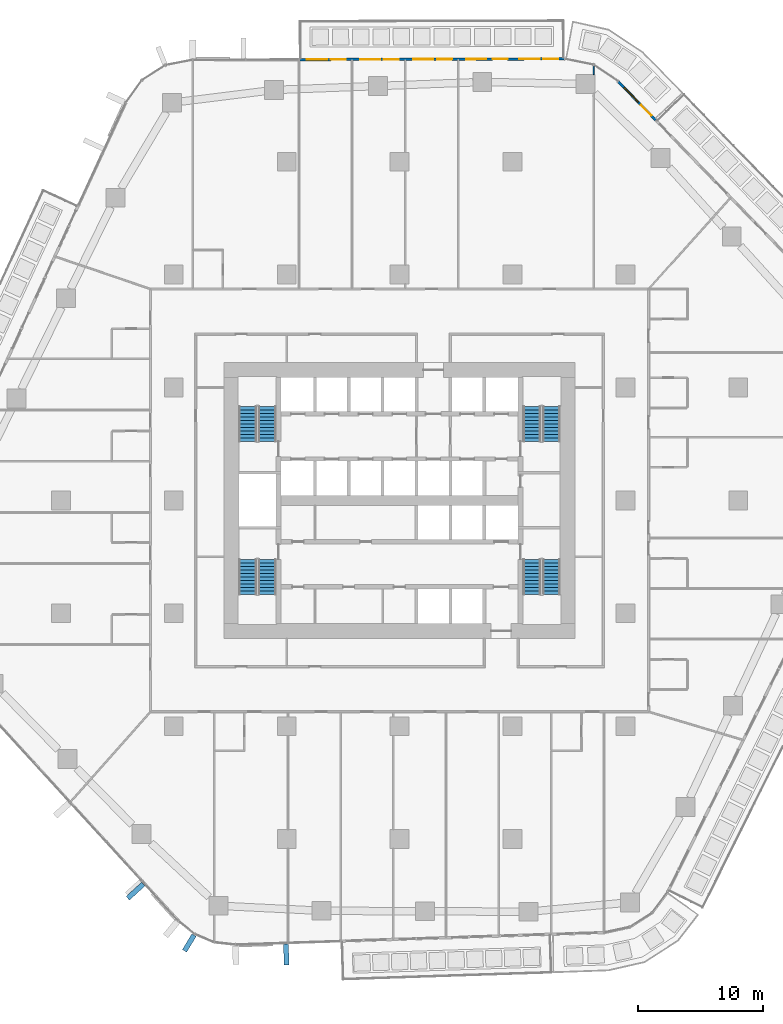
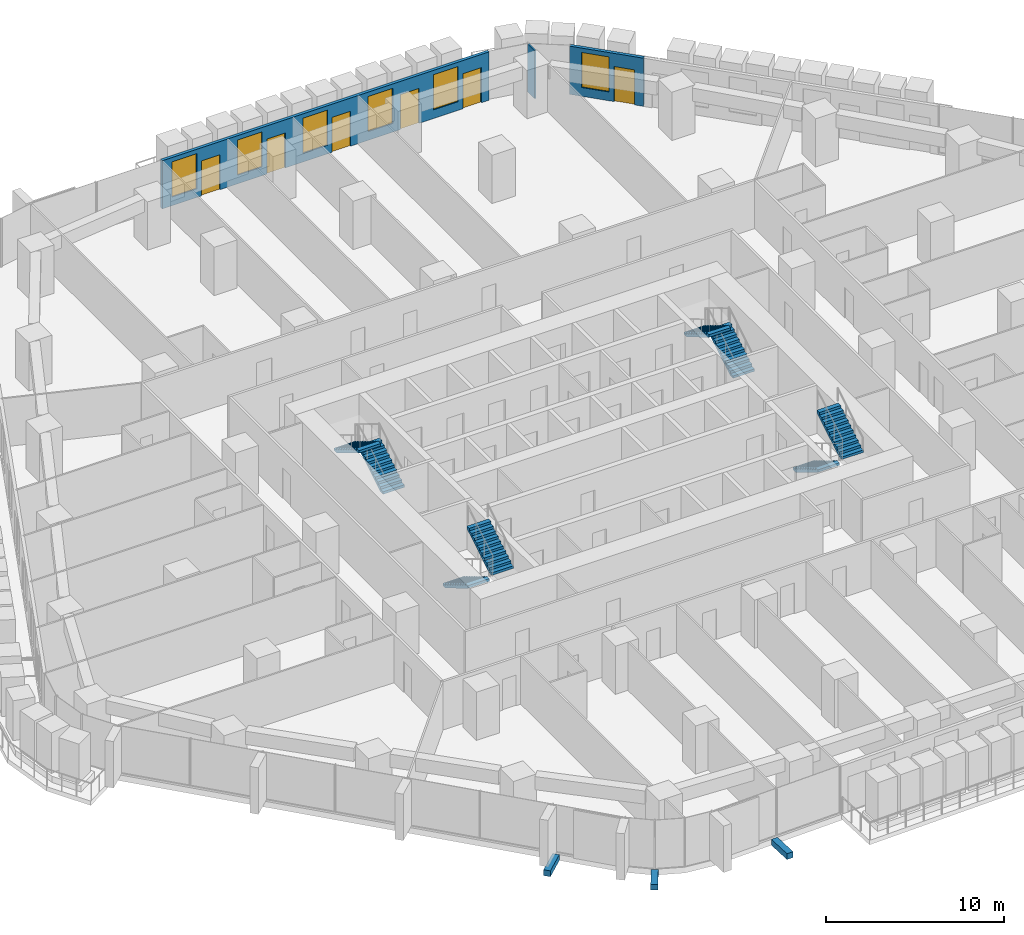
# One storey, part 19 of 27: 8 stair flights, 6 doors, 6 windows, 3 discrete accessories, 3 walls, 12 openings, 4 elements without a shape of their own.
"""IFC4 building model written with IfcOpenShell, lengths in metres."""

from ifc_helpers import new_model, si_unit, direction, frame, frame_2d, origin, origin_2d, place, context, subcontext, project, spatial, polyline, rectangle, outline, extrude, material, layer, layer_set, type_object, element, fill, aggregate, save


model = new_model("IFC4")

# Units and contexts
model_context = context("Model", 3, precision=1e-05, world=origin(), true_north=direction((0.0, 1.0)))
body_context = subcontext(model_context, "Body", "Model", "MODEL_VIEW")
ifc_project = project(units=[si_unit("LENGTHUNIT", "METRE"), si_unit("AREAUNIT", "SQUARE_METRE"), si_unit("VOLUMEUNIT", "CUBIC_METRE"), si_unit("PLANEANGLEUNIT", "RADIAN"), si_unit("MASSUNIT", "GRAM", prefix="KILO")], contexts=[model_context])

# Site, building, storey
site_placement = place(None, origin())
site = spatial("IfcSite", under=ifc_project, at=site_placement, CompositionType="ELEMENT")
building_placement = place(site_placement, origin())
building = spatial("IfcBuilding", under=site, at=building_placement, Name="Dongbaek Canopy Tower", CompositionType="ELEMENT")
storey_placement = place(building_placement, frame((0.0, 0.0, 58.800048828125)))
storey = spatial("IfcBuildingStorey", under=building, at=storey_placement, Name="L10", CompositionType="ELEMENT", Elevation=58.800048828125)

# Wall
ifc_material_1 = material(Name="Gypsum board partition, steel stud, 2 x 12.5 mm board", Category="steel")
ifc_layer_1 = layer(ifc_material_1, 0.10009765625)
ifc_layer_set_1 = layer_set([ifc_layer_1], Name="Partition 100 gypsum board")
wall_type_1 = type_object("IfcWallType", Name="Partition 100 gypsum board", PredefinedType="PARTITIONING", material=ifc_layer_set_1)
wall_1_placement = place(storey_placement, frame((15.47509765625, 33.944091796875, 0.0), z_axis=(0.0, 0.0, 1.0), x_axis=(0.0, 1.0, 0.0)))
element("IfcWall", 1, at=wall_1_placement, inside=storey, type_object=wall_type_1, Name="Partition", PredefinedType="PARTITIONING", context=body_context, shape_type="SweptSolid", body=[
    extrude(rectangle(XDim=0.758544921875, YDim=0.10009765625, at=frame_2d((0.37939453125, 0.0))), origin(), (0.0, 0.0, 1.0), 3.300048828125),
])

# Wall, openings, door, window
ifc_material_2 = material(Name="Aluminium window wall", Category="aluminium")
ifc_layer_2 = layer(ifc_material_2, 0.199951171875)
ifc_layer_set_2 = layer_set([ifc_layer_2], Name="Window wall 200")
wall_type_2 = type_object("IfcWallType", Name="Window wall 200", PredefinedType="SOLIDWALL", material=ifc_layer_set_2)
wall_2_placement = place(storey_placement, frame((20.4130859375, 30.310791015625, 0.0), z_axis=(0.0, 0.0, 1.0), x_axis=(-0.696041877051, 0.718001187598, 0.0)))
wall_2 = element("IfcWall", 2, at=wall_2_placement, inside=storey, type_object=wall_type_2, Name="Window wall L10 6", PredefinedType="SOLIDWALL", context=body_context, shape_type="SweptSolid", body=[
    extrude(rectangle(XDim=4.29150390625, YDim=0.199951171875, at=frame_2d((2.145751953125, 0.0))), origin(), (0.0, 0.0, 1.0), 3.300048828125),
])
opening_1_placement = place(wall_2_placement, frame((2.0, 0.0, 0.60009765625)))
opening_1 = element("IfcOpeningElement", 3, at=opening_1_placement, cuts=wall_2, Name="Opening W1", PredefinedType="OPENING", context=body_context, shape_type="SweptSolid", body=[
    extrude(rectangle(XDim=1.60009765625, YDim=2.39990234375, at=frame_2d((0.800048828125, 1.199951171875))), frame((0.0, 0.10986328125, 0.0), z_axis=(0.0, -1.0, 0.0), x_axis=(1.0, 0.0, 0.0)), (0.0, 0.0, 1.0), 0.219970703125),
])
opening_2_placement = place(wall_2_placement, frame((0.5, 0.0, 0.0)))
opening_2 = element("IfcOpeningElement", 4, at=opening_2_placement, cuts=wall_2, Name="Opening L10-B05", PredefinedType="OPENING", context=body_context, shape_type="SweptSolid", body=[
    extrude(rectangle(XDim=1.199951171875, YDim=2.39990234375, at=frame_2d((0.60009765625, 1.199951171875))), frame((0.0, 0.10986328125, 0.0), z_axis=(0.0, -1.0, 0.0), x_axis=(1.0, 0.0, 0.0)), (0.0, 0.0, 1.0), 0.219970703125),
])
ifc_material_3 = material(Name="Clear glazing in aluminium frame", Category="aluminium")
door_type = type_object("IfcDoorType", Name="Balcony door BD1 1200 x 2400", OperationType="SLIDING_TO_LEFT", PredefinedType="DOOR", material=ifc_material_3)
door_1_placement = place(opening_2_placement, origin())
door_1 = element("IfcDoor", 5, at=door_1_placement, inside=storey, type_object=door_type, Name="Balcony door L10-B05", OperationType="SLIDING_TO_LEFT", OverallHeight=2.39990234375, OverallWidth=1.199951171875, PredefinedType="DOOR", context=body_context, shape_type="SweptSolid", body=[
    extrude(rectangle(XDim=1.199951171875, YDim=2.39990234375, at=frame_2d((0.60009765625, 1.199951171875))), frame((0.0, 0.02490234375, 0.0), z_axis=(0.0, -1.0, 0.0), x_axis=(1.0, 0.0, 0.0)), (0.0, 0.0, 1.0), 0.050048828125),
])
fill(opening_2, door_1)
ifc_material_4 = material(Name="Clear glazing in aluminium frame", Category="aluminium")
window_type = type_object("IfcWindowType", Name="Window W1 1600 x 2400", PartitioningType="SINGLE_PANEL", PredefinedType="WINDOW", material=ifc_material_4)
window_1_placement = place(opening_1_placement, origin())
window_1 = element("IfcWindow", 6, at=window_1_placement, inside=storey, type_object=window_type, Name="Window L10 6.1", OverallHeight=2.39990234375, OverallWidth=1.60009765625, PartitioningType="SINGLE_PANEL", PredefinedType="WINDOW", context=body_context, shape_type="SweptSolid", body=[
    extrude(rectangle(XDim=1.60009765625, YDim=2.39990234375, at=frame_2d((0.800048828125, 1.199951171875))), frame((0.0, 0.030029296875, 0.0), z_axis=(0.0, -1.0, 0.0), x_axis=(1.0, 0.0, 0.0)), (0.0, 0.0, 1.0), 0.06005859375),
])
fill(opening_1, window_1)

# Wall, openings, doors, windows
wall_3_placement = place(storey_placement, frame((13.156982421875, 35.192626953125, 0.0), z_axis=(0.0, 0.0, 1.0), x_axis=(-0.99999645413, -0.00266302965, 0.0)))
wall_3 = element("IfcWall", 7, at=wall_3_placement, inside=storey, type_object=wall_type_2, Name="Window wall L10 2", PredefinedType="SOLIDWALL", context=body_context, shape_type="SweptSolid", body=[
    extrude(rectangle(XDim=21.177490234375, YDim=0.199951171875, at=frame_2d((10.5888671875, 0.0))), origin(), (0.0, 0.0, 1.0), 3.300048828125),
])
opening_3_placement = place(wall_3_placement, frame((2.0, 0.0, 0.60009765625)))
opening_3 = element("IfcOpeningElement", 8, at=opening_3_placement, cuts=wall_3, Name="Opening W1", PredefinedType="OPENING", context=body_context, shape_type="SweptSolid", body=[
    extrude(rectangle(XDim=1.60009765625, YDim=2.39990234375, at=frame_2d((0.800048828125, 1.199951171875))), frame((0.0, 0.10986328125, 0.0), z_axis=(0.0, -1.0, 0.0), x_axis=(1.0, 0.0, 0.0)), (0.0, 0.0, 1.0), 0.219970703125),
])
opening_4_placement = place(wall_3_placement, frame((0.5, 0.0, 0.0)))
opening_4 = element("IfcOpeningElement", 9, at=opening_4_placement, cuts=wall_3, Name="Opening L10-B06", PredefinedType="OPENING", context=body_context, shape_type="SweptSolid", body=[
    extrude(rectangle(XDim=1.199951171875, YDim=2.39990234375, at=frame_2d((0.60009765625, 1.199951171875))), frame((0.0, 0.10986328125, 0.0), z_axis=(0.0, -1.0, 0.0), x_axis=(1.0, 0.0, 0.0)), (0.0, 0.0, 1.0), 0.219970703125),
])
opening_5_placement = place(wall_3_placement, frame((6.235595703125, 0.0, 0.60009765625)))
opening_5 = element("IfcOpeningElement", 10, at=opening_5_placement, cuts=wall_3, Name="Opening W1", PredefinedType="OPENING", context=body_context, shape_type="SweptSolid", body=[
    extrude(rectangle(XDim=1.60009765625, YDim=2.39990234375, at=frame_2d((0.800048828125, 1.199951171875))), frame((0.0, 0.10986328125, 0.0), z_axis=(0.0, -1.0, 0.0), x_axis=(1.0, 0.0, 0.0)), (0.0, 0.0, 1.0), 0.219970703125),
])
opening_6_placement = place(wall_3_placement, frame((4.535400390625, 0.0, 0.0)))
opening_6 = element("IfcOpeningElement", 11, at=opening_6_placement, cuts=wall_3, Name="Opening L10-B07", PredefinedType="OPENING", context=body_context, shape_type="SweptSolid", body=[
    extrude(rectangle(XDim=1.199951171875, YDim=2.39990234375, at=frame_2d((0.60009765625, 1.199951171875))), frame((0.0, 0.10986328125, 0.0), z_axis=(0.0, -1.0, 0.0), x_axis=(1.0, 0.0, 0.0)), (0.0, 0.0, 1.0), 0.219970703125),
])
opening_7_placement = place(wall_3_placement, frame((10.470947265625, 0.0, 0.60009765625)))
opening_7 = element("IfcOpeningElement", 12, at=opening_7_placement, cuts=wall_3, Name="Opening W1", PredefinedType="OPENING", context=body_context, shape_type="SweptSolid", body=[
    extrude(rectangle(XDim=1.60009765625, YDim=2.39990234375, at=frame_2d((0.800048828125, 1.199951171875))), frame((0.0, 0.10986328125, 0.0), z_axis=(0.0, -1.0, 0.0), x_axis=(1.0, 0.0, 0.0)), (0.0, 0.0, 1.0), 0.219970703125),
])
opening_8_placement = place(wall_3_placement, frame((8.970947265625, 0.0, 0.0)))
opening_8 = element("IfcOpeningElement", 13, at=opening_8_placement, cuts=wall_3, Name="Opening L10-B08", PredefinedType="OPENING", context=body_context, shape_type="SweptSolid", body=[
    extrude(rectangle(XDim=1.199951171875, YDim=2.39990234375, at=frame_2d((0.60009765625, 1.199951171875))), frame((0.0, 0.10986328125, 0.0), z_axis=(0.0, -1.0, 0.0), x_axis=(1.0, 0.0, 0.0)), (0.0, 0.0, 1.0), 0.219970703125),
])
opening_9_placement = place(wall_3_placement, frame((14.70654296875, 0.0, 0.60009765625)))
opening_9 = element("IfcOpeningElement", 14, at=opening_9_placement, cuts=wall_3, Name="Opening W1", PredefinedType="OPENING", context=body_context, shape_type="SweptSolid", body=[
    extrude(rectangle(XDim=1.60009765625, YDim=2.39990234375, at=frame_2d((0.800048828125, 1.199951171875))), frame((0.0, 0.10986328125, 0.0), z_axis=(0.0, -1.0, 0.0), x_axis=(1.0, 0.0, 0.0)), (0.0, 0.0, 1.0), 0.219970703125),
])
opening_10_placement = place(wall_3_placement, frame((13.20654296875, 0.0, 0.0)))
opening_10 = element("IfcOpeningElement", 15, at=opening_10_placement, cuts=wall_3, Name="Opening L10-B09", PredefinedType="OPENING", context=body_context, shape_type="SweptSolid", body=[
    extrude(rectangle(XDim=1.199951171875, YDim=2.39990234375, at=frame_2d((0.60009765625, 1.199951171875))), frame((0.0, 0.10986328125, 0.0), z_axis=(0.0, -1.0, 0.0), x_axis=(1.0, 0.0, 0.0)), (0.0, 0.0, 1.0), 0.219970703125),
])
opening_11_placement = place(wall_3_placement, frame((18.942138671875, 0.0, 0.60009765625)))
opening_11 = element("IfcOpeningElement", 16, at=opening_11_placement, cuts=wall_3, Name="Opening W1", PredefinedType="OPENING", context=body_context, shape_type="SweptSolid", body=[
    extrude(rectangle(XDim=1.60009765625, YDim=2.39990234375, at=frame_2d((0.800048828125, 1.199951171875))), frame((0.0, 0.10986328125, 0.0), z_axis=(0.0, -1.0, 0.0), x_axis=(1.0, 0.0, 0.0)), (0.0, 0.0, 1.0), 0.219970703125),
])
opening_12_placement = place(wall_3_placement, frame((17.442138671875, 0.0, 0.0)))
opening_12 = element("IfcOpeningElement", 17, at=opening_12_placement, cuts=wall_3, Name="Opening L10-B10", PredefinedType="OPENING", context=body_context, shape_type="SweptSolid", body=[
    extrude(rectangle(XDim=1.199951171875, YDim=2.39990234375, at=frame_2d((0.60009765625, 1.199951171875))), frame((0.0, 0.10986328125, 0.0), z_axis=(0.0, -1.0, 0.0), x_axis=(1.0, 0.0, 0.0)), (0.0, 0.0, 1.0), 0.219970703125),
])
door_2_placement = place(opening_4_placement, origin())
door_2 = element("IfcDoor", 18, at=door_2_placement, inside=storey, type_object=door_type, Name="Balcony door L10-B06", OperationType="SLIDING_TO_LEFT", OverallHeight=2.39990234375, OverallWidth=1.199951171875, PredefinedType="DOOR", context=body_context, shape_type="SweptSolid", body=[
    extrude(rectangle(XDim=1.199951171875, YDim=2.39990234375, at=frame_2d((0.60009765625, 1.199951171875))), frame((0.0, 0.02490234375, 0.0), z_axis=(0.0, -1.0, 0.0), x_axis=(1.0, 0.0, 0.0)), (0.0, 0.0, 1.0), 0.050048828125),
])
fill(opening_4, door_2)
door_3_placement = place(opening_6_placement, origin())
door_3 = element("IfcDoor", 19, at=door_3_placement, inside=storey, type_object=door_type, Name="Balcony door L10-B07", OperationType="SLIDING_TO_LEFT", OverallHeight=2.39990234375, OverallWidth=1.199951171875, PredefinedType="DOOR", context=body_context, shape_type="SweptSolid", body=[
    extrude(rectangle(XDim=1.199951171875, YDim=2.39990234375, at=frame_2d((0.60009765625, 1.199951171875))), frame((0.0, 0.02490234375, 0.0), z_axis=(0.0, -1.0, 0.0), x_axis=(1.0, 0.0, 0.0)), (0.0, 0.0, 1.0), 0.050048828125),
])
fill(opening_6, door_3)
door_4_placement = place(opening_8_placement, origin())
door_4 = element("IfcDoor", 20, at=door_4_placement, inside=storey, type_object=door_type, Name="Balcony door L10-B08", OperationType="SLIDING_TO_LEFT", OverallHeight=2.39990234375, OverallWidth=1.199951171875, PredefinedType="DOOR", context=body_context, shape_type="SweptSolid", body=[
    extrude(rectangle(XDim=1.199951171875, YDim=2.39990234375, at=frame_2d((0.60009765625, 1.199951171875))), frame((0.0, 0.02490234375, 0.0), z_axis=(0.0, -1.0, 0.0), x_axis=(1.0, 0.0, 0.0)), (0.0, 0.0, 1.0), 0.050048828125),
])
fill(opening_8, door_4)
door_5_placement = place(opening_10_placement, origin())
door_5 = element("IfcDoor", 21, at=door_5_placement, inside=storey, type_object=door_type, Name="Balcony door L10-B09", OperationType="SLIDING_TO_LEFT", OverallHeight=2.39990234375, OverallWidth=1.199951171875, PredefinedType="DOOR", context=body_context, shape_type="SweptSolid", body=[
    extrude(rectangle(XDim=1.199951171875, YDim=2.39990234375, at=frame_2d((0.60009765625, 1.199951171875))), frame((0.0, 0.02490234375, 0.0), z_axis=(0.0, -1.0, 0.0), x_axis=(1.0, 0.0, 0.0)), (0.0, 0.0, 1.0), 0.050048828125),
])
fill(opening_10, door_5)
door_6_placement = place(opening_12_placement, origin())
door_6 = element("IfcDoor", 22, at=door_6_placement, inside=storey, type_object=door_type, Name="Balcony door L10-B10", OperationType="SLIDING_TO_LEFT", OverallHeight=2.39990234375, OverallWidth=1.199951171875, PredefinedType="DOOR", context=body_context, shape_type="SweptSolid", body=[
    extrude(rectangle(XDim=1.199951171875, YDim=2.39990234375, at=frame_2d((0.60009765625, 1.199951171875))), frame((0.0, 0.02490234375, 0.0), z_axis=(0.0, -1.0, 0.0), x_axis=(1.0, 0.0, 0.0)), (0.0, 0.0, 1.0), 0.050048828125),
])
fill(opening_12, door_6)
window_2_placement = place(opening_3_placement, origin())
window_2 = element("IfcWindow", 23, at=window_2_placement, inside=storey, type_object=window_type, Name="Window L10 2.1", OverallHeight=2.39990234375, OverallWidth=1.60009765625, PartitioningType="SINGLE_PANEL", PredefinedType="WINDOW", context=body_context, shape_type="SweptSolid", body=[
    extrude(rectangle(XDim=1.60009765625, YDim=2.39990234375, at=frame_2d((0.800048828125, 1.199951171875))), frame((0.0, 0.030029296875, 0.0), z_axis=(0.0, -1.0, 0.0), x_axis=(1.0, 0.0, 0.0)), (0.0, 0.0, 1.0), 0.06005859375),
])
fill(opening_3, window_2)
window_3_placement = place(opening_5_placement, origin())
window_3 = element("IfcWindow", 24, at=window_3_placement, inside=storey, type_object=window_type, Name="Window L10 2.2", OverallHeight=2.39990234375, OverallWidth=1.60009765625, PartitioningType="SINGLE_PANEL", PredefinedType="WINDOW", context=body_context, shape_type="SweptSolid", body=[
    extrude(rectangle(XDim=1.60009765625, YDim=2.39990234375, at=frame_2d((0.800048828125, 1.199951171875))), frame((0.0, 0.030029296875, 0.0), z_axis=(0.0, -1.0, 0.0), x_axis=(1.0, 0.0, 0.0)), (0.0, 0.0, 1.0), 0.06005859375),
])
fill(opening_5, window_3)
window_4_placement = place(opening_7_placement, origin())
window_4 = element("IfcWindow", 25, at=window_4_placement, inside=storey, type_object=window_type, Name="Window L10 2.3", OverallHeight=2.39990234375, OverallWidth=1.60009765625, PartitioningType="SINGLE_PANEL", PredefinedType="WINDOW", context=body_context, shape_type="SweptSolid", body=[
    extrude(rectangle(XDim=1.60009765625, YDim=2.39990234375, at=frame_2d((0.800048828125, 1.199951171875))), frame((0.0, 0.030029296875, 0.0), z_axis=(0.0, -1.0, 0.0), x_axis=(1.0, 0.0, 0.0)), (0.0, 0.0, 1.0), 0.06005859375),
])
fill(opening_7, window_4)
window_5_placement = place(opening_9_placement, origin())
window_5 = element("IfcWindow", 26, at=window_5_placement, inside=storey, type_object=window_type, Name="Window L10 2.4", OverallHeight=2.39990234375, OverallWidth=1.60009765625, PartitioningType="SINGLE_PANEL", PredefinedType="WINDOW", context=body_context, shape_type="SweptSolid", body=[
    extrude(rectangle(XDim=1.60009765625, YDim=2.39990234375, at=frame_2d((0.800048828125, 1.199951171875))), frame((0.0, 0.030029296875, 0.0), z_axis=(0.0, -1.0, 0.0), x_axis=(1.0, 0.0, 0.0)), (0.0, 0.0, 1.0), 0.06005859375),
])
fill(opening_9, window_5)
window_6_placement = place(opening_11_placement, origin())
window_6 = element("IfcWindow", 27, at=window_6_placement, inside=storey, type_object=window_type, Name="Window L10 2.5", OverallHeight=2.39990234375, OverallWidth=1.60009765625, PartitioningType="SINGLE_PANEL", PredefinedType="WINDOW", context=body_context, shape_type="SweptSolid", body=[
    extrude(rectangle(XDim=1.60009765625, YDim=2.39990234375, at=frame_2d((0.800048828125, 1.199951171875))), frame((0.0, 0.030029296875, 0.0), z_axis=(0.0, -1.0, 0.0), x_axis=(1.0, 0.0, 0.0)), (0.0, 0.0, 1.0), 0.06005859375),
])
fill(opening_11, window_6)

# Stair, stair flights
ifc_material_5 = material(Name="Concrete C40/50", Category="concrete")
stair_type = type_object("IfcStairType", Name="Core exit stair", PredefinedType="HALF_TURN_STAIR", material=ifc_material_5)
stair_1_placement = place(storey_placement, origin())
stair_1 = element("IfcStair", 28, at=stair_1_placement, inside=storey, type_object=stair_type, Name="L10 exit stair A", PredefinedType="HALF_TURN_STAIR")
ifc_material_6 = material(Name="Concrete C40/50", Category="concrete")
ifc_layer_3 = layer(ifc_material_6, 0.14990234375)
ifc_layer_set_3 = layer_set([ifc_layer_3], Name="Core stair flight 150 waist")
stair_flight_type = type_object("IfcStairFlightType", Name="Core stair flight 150 waist", PredefinedType="STRAIGHT", material=ifc_layer_set_3)
stair_flight_1_placement = place(storey_placement, frame((12.10009765625, 4.699951171875, 0.0), z_axis=(0.0, 0.0, 1.0), x_axis=(0.0, 1.0, 0.0)))
stair_flight_1 = element("IfcStairFlight", 29, at=stair_flight_1_placement, type_object=stair_flight_type, Name="ST-A flight 1", NumberOfRisers=11, NumberOfTreads=10, PredefinedType="STRAIGHT", RiserHeight=0.168181818, TreadLength=0.28, context=body_context, shape_type="SweptSolid", body=[
    extrude(outline(polyline([(0.0, 0.0), (0.0, 0.168212890625), (0.280029296875, 0.168212890625), (0.280029296875, 0.33642578125), (0.56005859375, 0.33642578125), (0.56005859375, 0.504638671875), (0.840087890625, 0.504638671875), (0.840087890625, 0.672607421875), (1.1201171875, 0.672607421875), (1.1201171875, 0.8408203125), (1.39990234375, 0.8408203125), (1.39990234375, 1.009033203125), (1.679931640625, 1.009033203125), (1.679931640625, 1.17724609375), (1.9599609375, 1.17724609375), (1.9599609375, 1.345458984375), (2.239990234375, 1.345458984375), (2.239990234375, 1.513671875), (2.52001953125, 1.513671875), (2.52001953125, 1.681884765625), (2.800048828125, 1.681884765625), (2.800048828125, 1.85009765625), (2.800048828125, 1.5068359375), (0.291015625, 0.0), (0.0, 0.0)])), frame((0.0, 0.699951171875, 0.0), z_axis=(0.0, -1.0, 0.0), x_axis=(1.0, 0.0, 0.0)), (0.0, 0.0, 1.0), 1.39990234375),
])
stair_flight_2_placement = place(storey_placement, frame((10.550048828125, 7.5, 1.849853515625), z_axis=(0.0, 0.0, 1.0), x_axis=(0.0, -1.0, 0.0)))
stair_flight_2 = element("IfcStairFlight", 30, at=stair_flight_2_placement, type_object=stair_flight_type, Name="ST-A flight 2", NumberOfRisers=11, NumberOfTreads=10, PredefinedType="STRAIGHT", RiserHeight=0.168181818, TreadLength=0.28, context=body_context, shape_type="SweptSolid", body=[
    extrude(outline(polyline([(0.0, 0.0), (0.0, 0.168212890625), (0.280029296875, 0.168212890625), (0.280029296875, 0.33642578125), (0.56005859375, 0.33642578125), (0.56005859375, 0.504638671875), (0.840087890625, 0.504638671875), (0.840087890625, 0.672607421875), (1.1201171875, 0.672607421875), (1.1201171875, 0.8408203125), (1.39990234375, 0.8408203125), (1.39990234375, 1.009033203125), (1.679931640625, 1.009033203125), (1.679931640625, 1.17724609375), (1.9599609375, 1.17724609375), (1.9599609375, 1.345458984375), (2.239990234375, 1.345458984375), (2.239990234375, 1.513671875), (2.52001953125, 1.513671875), (2.52001953125, 1.681884765625), (2.800048828125, 1.681884765625), (2.800048828125, 1.85009765625), (2.800048828125, 1.5068359375), (0.291015625, 0.0), (0.0, 0.0)])), frame((0.0, 0.699951171875, 0.0), z_axis=(0.0, -1.0, 0.0), x_axis=(1.0, 0.0, 0.0)), (0.0, 0.0, 1.0), 1.39990234375),
])
aggregate(stair_1, [stair_flight_1, stair_flight_2])

stair_2_placement = place(storey_placement, origin())
stair_2 = element("IfcStair", 31, at=stair_2_placement, inside=storey, type_object=stair_type, Name="L10 exit stair C", PredefinedType="HALF_TURN_STAIR")
stair_flight_3_placement = place(storey_placement, frame((-10.550048828125, 4.699951171875, 0.0), z_axis=(0.0, 0.0, 1.0), x_axis=(0.0, 1.0, 0.0)))
stair_flight_3 = element("IfcStairFlight", 32, at=stair_flight_3_placement, type_object=stair_flight_type, Name="ST-C flight 1", NumberOfRisers=11, NumberOfTreads=10, PredefinedType="STRAIGHT", RiserHeight=0.168181818, TreadLength=0.28, context=body_context, shape_type="SweptSolid", body=[
    extrude(outline(polyline([(0.0, 0.0), (0.0, 0.168212890625), (0.280029296875, 0.168212890625), (0.280029296875, 0.33642578125), (0.56005859375, 0.33642578125), (0.56005859375, 0.504638671875), (0.840087890625, 0.504638671875), (0.840087890625, 0.672607421875), (1.1201171875, 0.672607421875), (1.1201171875, 0.8408203125), (1.39990234375, 0.8408203125), (1.39990234375, 1.009033203125), (1.679931640625, 1.009033203125), (1.679931640625, 1.17724609375), (1.9599609375, 1.17724609375), (1.9599609375, 1.345458984375), (2.239990234375, 1.345458984375), (2.239990234375, 1.513671875), (2.52001953125, 1.513671875), (2.52001953125, 1.681884765625), (2.800048828125, 1.681884765625), (2.800048828125, 1.85009765625), (2.800048828125, 1.5068359375), (0.291015625, 0.0), (0.0, 0.0)])), frame((0.0, 0.699951171875, 0.0), z_axis=(0.0, -1.0, 0.0), x_axis=(1.0, 0.0, 0.0)), (0.0, 0.0, 1.0), 1.39990234375),
])
stair_flight_4_placement = place(storey_placement, frame((-12.10009765625, 7.5, 1.849853515625), z_axis=(0.0, 0.0, 1.0), x_axis=(0.0, -1.0, 0.0)))
stair_flight_4 = element("IfcStairFlight", 33, at=stair_flight_4_placement, type_object=stair_flight_type, Name="ST-C flight 2", NumberOfRisers=11, NumberOfTreads=10, PredefinedType="STRAIGHT", RiserHeight=0.168181818, TreadLength=0.28, context=body_context, shape_type="SweptSolid", body=[
    extrude(outline(polyline([(0.0, 0.0), (0.0, 0.168212890625), (0.280029296875, 0.168212890625), (0.280029296875, 0.33642578125), (0.56005859375, 0.33642578125), (0.56005859375, 0.504638671875), (0.840087890625, 0.504638671875), (0.840087890625, 0.672607421875), (1.1201171875, 0.672607421875), (1.1201171875, 0.8408203125), (1.39990234375, 0.8408203125), (1.39990234375, 1.009033203125), (1.679931640625, 1.009033203125), (1.679931640625, 1.17724609375), (1.9599609375, 1.17724609375), (1.9599609375, 1.345458984375), (2.239990234375, 1.345458984375), (2.239990234375, 1.513671875), (2.52001953125, 1.513671875), (2.52001953125, 1.681884765625), (2.800048828125, 1.681884765625), (2.800048828125, 1.85009765625), (2.800048828125, 1.5068359375), (0.291015625, 0.0), (0.0, 0.0)])), frame((0.0, 0.699951171875, 0.0), z_axis=(0.0, -1.0, 0.0), x_axis=(1.0, 0.0, 0.0)), (0.0, 0.0, 1.0), 1.39990234375),
])
aggregate(stair_2, [stair_flight_3, stair_flight_4])

stair_3_placement = place(storey_placement, origin())
stair_3 = element("IfcStair", 34, at=stair_3_placement, inside=storey, type_object=stair_type, Name="L10 exit stair B", PredefinedType="HALF_TURN_STAIR")
stair_flight_5_placement = place(storey_placement, frame((10.550048828125, -4.699951171875, 0.0), z_axis=(0.0, 0.0, 1.0), x_axis=(0.0, -1.0, 0.0)))
stair_flight_5 = element("IfcStairFlight", 35, at=stair_flight_5_placement, type_object=stair_flight_type, Name="ST-B flight 1", NumberOfRisers=11, NumberOfTreads=10, PredefinedType="STRAIGHT", RiserHeight=0.168181818, TreadLength=0.28, context=body_context, shape_type="SweptSolid", body=[
    extrude(outline(polyline([(0.0, 0.0), (0.0, 0.168212890625), (0.280029296875, 0.168212890625), (0.280029296875, 0.33642578125), (0.56005859375, 0.33642578125), (0.56005859375, 0.504638671875), (0.840087890625, 0.504638671875), (0.840087890625, 0.672607421875), (1.1201171875, 0.672607421875), (1.1201171875, 0.8408203125), (1.39990234375, 0.8408203125), (1.39990234375, 1.009033203125), (1.679931640625, 1.009033203125), (1.679931640625, 1.17724609375), (1.9599609375, 1.17724609375), (1.9599609375, 1.345458984375), (2.239990234375, 1.345458984375), (2.239990234375, 1.513671875), (2.52001953125, 1.513671875), (2.52001953125, 1.681884765625), (2.800048828125, 1.681884765625), (2.800048828125, 1.85009765625), (2.800048828125, 1.5068359375), (0.291015625, 0.0), (0.0, 0.0)])), frame((0.0, 0.699951171875, 0.0), z_axis=(0.0, -1.0, 0.0), x_axis=(1.0, 0.0, 0.0)), (0.0, 0.0, 1.0), 1.39990234375),
])
stair_flight_6_placement = place(storey_placement, frame((12.10009765625, -7.5, 1.849853515625), z_axis=(0.0, 0.0, 1.0), x_axis=(0.0, 1.0, 0.0)))
stair_flight_6 = element("IfcStairFlight", 36, at=stair_flight_6_placement, type_object=stair_flight_type, Name="ST-B flight 2", NumberOfRisers=11, NumberOfTreads=10, PredefinedType="STRAIGHT", RiserHeight=0.168181818, TreadLength=0.28, context=body_context, shape_type="SweptSolid", body=[
    extrude(outline(polyline([(0.0, 0.0), (0.0, 0.168212890625), (0.280029296875, 0.168212890625), (0.280029296875, 0.33642578125), (0.56005859375, 0.33642578125), (0.56005859375, 0.504638671875), (0.840087890625, 0.504638671875), (0.840087890625, 0.672607421875), (1.1201171875, 0.672607421875), (1.1201171875, 0.8408203125), (1.39990234375, 0.8408203125), (1.39990234375, 1.009033203125), (1.679931640625, 1.009033203125), (1.679931640625, 1.17724609375), (1.9599609375, 1.17724609375), (1.9599609375, 1.345458984375), (2.239990234375, 1.345458984375), (2.239990234375, 1.513671875), (2.52001953125, 1.513671875), (2.52001953125, 1.681884765625), (2.800048828125, 1.681884765625), (2.800048828125, 1.85009765625), (2.800048828125, 1.5068359375), (0.291015625, 0.0), (0.0, 0.0)])), frame((0.0, 0.699951171875, 0.0), z_axis=(0.0, -1.0, 0.0), x_axis=(1.0, 0.0, 0.0)), (0.0, 0.0, 1.0), 1.39990234375),
])
aggregate(stair_3, [stair_flight_5, stair_flight_6])

stair_4_placement = place(storey_placement, origin())
stair_4 = element("IfcStair", 37, at=stair_4_placement, inside=storey, type_object=stair_type, Name="L10 exit stair D", PredefinedType="HALF_TURN_STAIR")
stair_flight_7_placement = place(storey_placement, frame((-12.10009765625, -4.699951171875, 0.0), z_axis=(0.0, 0.0, 1.0), x_axis=(0.0, -1.0, 0.0)))
stair_flight_7 = element("IfcStairFlight", 38, at=stair_flight_7_placement, type_object=stair_flight_type, Name="ST-D flight 1", NumberOfRisers=11, NumberOfTreads=10, PredefinedType="STRAIGHT", RiserHeight=0.168181818, TreadLength=0.28, context=body_context, shape_type="SweptSolid", body=[
    extrude(outline(polyline([(0.0, 0.0), (0.0, 0.168212890625), (0.280029296875, 0.168212890625), (0.280029296875, 0.33642578125), (0.56005859375, 0.33642578125), (0.56005859375, 0.504638671875), (0.840087890625, 0.504638671875), (0.840087890625, 0.672607421875), (1.1201171875, 0.672607421875), (1.1201171875, 0.8408203125), (1.39990234375, 0.8408203125), (1.39990234375, 1.009033203125), (1.679931640625, 1.009033203125), (1.679931640625, 1.17724609375), (1.9599609375, 1.17724609375), (1.9599609375, 1.345458984375), (2.239990234375, 1.345458984375), (2.239990234375, 1.513671875), (2.52001953125, 1.513671875), (2.52001953125, 1.681884765625), (2.800048828125, 1.681884765625), (2.800048828125, 1.85009765625), (2.800048828125, 1.5068359375), (0.291015625, 0.0), (0.0, 0.0)])), frame((0.0, 0.699951171875, 0.0), z_axis=(0.0, -1.0, 0.0), x_axis=(1.0, 0.0, 0.0)), (0.0, 0.0, 1.0), 1.39990234375),
])
stair_flight_8_placement = place(storey_placement, frame((-10.550048828125, -7.5, 1.849853515625), z_axis=(0.0, 0.0, 1.0), x_axis=(0.0, 1.0, 0.0)))
stair_flight_8 = element("IfcStairFlight", 39, at=stair_flight_8_placement, type_object=stair_flight_type, Name="ST-D flight 2", NumberOfRisers=11, NumberOfTreads=10, PredefinedType="STRAIGHT", RiserHeight=0.168181818, TreadLength=0.28, context=body_context, shape_type="SweptSolid", body=[
    extrude(outline(polyline([(0.0, 0.0), (0.0, 0.168212890625), (0.280029296875, 0.168212890625), (0.280029296875, 0.33642578125), (0.56005859375, 0.33642578125), (0.56005859375, 0.504638671875), (0.840087890625, 0.504638671875), (0.840087890625, 0.672607421875), (1.1201171875, 0.672607421875), (1.1201171875, 0.8408203125), (1.39990234375, 0.8408203125), (1.39990234375, 1.009033203125), (1.679931640625, 1.009033203125), (1.679931640625, 1.17724609375), (1.9599609375, 1.17724609375), (1.9599609375, 1.345458984375), (2.239990234375, 1.345458984375), (2.239990234375, 1.513671875), (2.52001953125, 1.513671875), (2.52001953125, 1.681884765625), (2.800048828125, 1.681884765625), (2.800048828125, 1.85009765625), (2.800048828125, 1.5068359375), (0.291015625, 0.0), (0.0, 0.0)])), frame((0.0, 0.699951171875, 0.0), z_axis=(0.0, -1.0, 0.0), x_axis=(1.0, 0.0, 0.0)), (0.0, 0.0, 1.0), 1.39990234375),
])
aggregate(stair_4, [stair_flight_7, stair_flight_8])

# Discrete accessories
ifc_material_7 = material(Name="Galvanised steel S355 bracket", Category="steel")
discrete_accessory_type = type_object("IfcDiscreteAccessoryType", Name="Crease fin bracket BR3 400", PredefinedType="BRACKET", material=ifc_material_7)
discrete_accessory_1_placement = place(storey_placement, frame((-21.04931640625, -31.15380859375, -0.39990234375), z_axis=(0.0, 0.0, 1.0), x_axis=(-0.737854839525, -0.674959432699, 0.0)))
element("IfcDiscreteAccessory", 40, at=discrete_accessory_1_placement, inside=storey, type_object=discrete_accessory_type, Name="Crease fin bracket L10 F3", PredefinedType="BRACKET", context=body_context, shape_type="SweptSolid", body=[
    extrude(rectangle(XDim=1.669921875, YDim=0.39990234375, at=origin_2d()), origin(), (0.0, 0.0, 1.0), 0.39990234375),
])
discrete_accessory_2_placement = place(storey_placement, frame((-9.02978515625, -36.2099609375, -0.39990234375), z_axis=(0.0, 0.0, 1.0), x_axis=(0.032645818153, -0.999466983225, 0.0)))
element("IfcDiscreteAccessory", 41, at=discrete_accessory_2_placement, inside=storey, type_object=discrete_accessory_type, Name="Crease fin bracket L10 F4", PredefinedType="BRACKET", context=body_context, shape_type="SweptSolid", body=[
    extrude(rectangle(XDim=1.663818359375, YDim=0.39990234375, at=origin_2d()), origin(), (0.0, 0.0, 1.0), 0.39990234375),
])
discrete_accessory_3_placement = place(storey_placement, frame((-16.76318359375, -35.28173828125, -0.39990234375), z_axis=(0.0, 0.0, 1.0), x_axis=(-0.516170126701, -0.856486077121, 0.0)))
element("IfcDiscreteAccessory", 42, at=discrete_accessory_3_placement, inside=storey, type_object=discrete_accessory_type, Name="Corner fin bracket L10 K4", PredefinedType="BRACKET", context=body_context, shape_type="SweptSolid", body=[
    extrude(rectangle(XDim=1.469970703125, YDim=0.39990234375, at=origin_2d()), origin(), (0.0, 0.0, 1.0), 0.39990234375),
])

save(model, "model.ifc")
